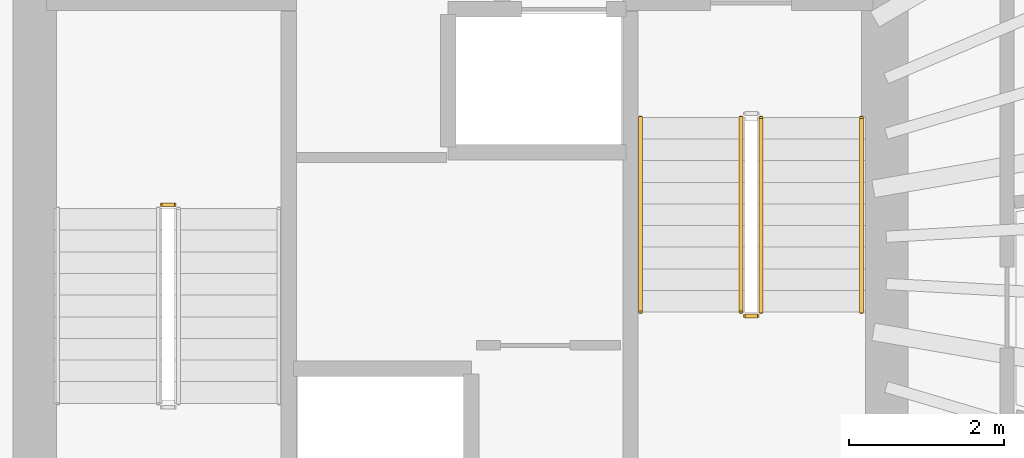
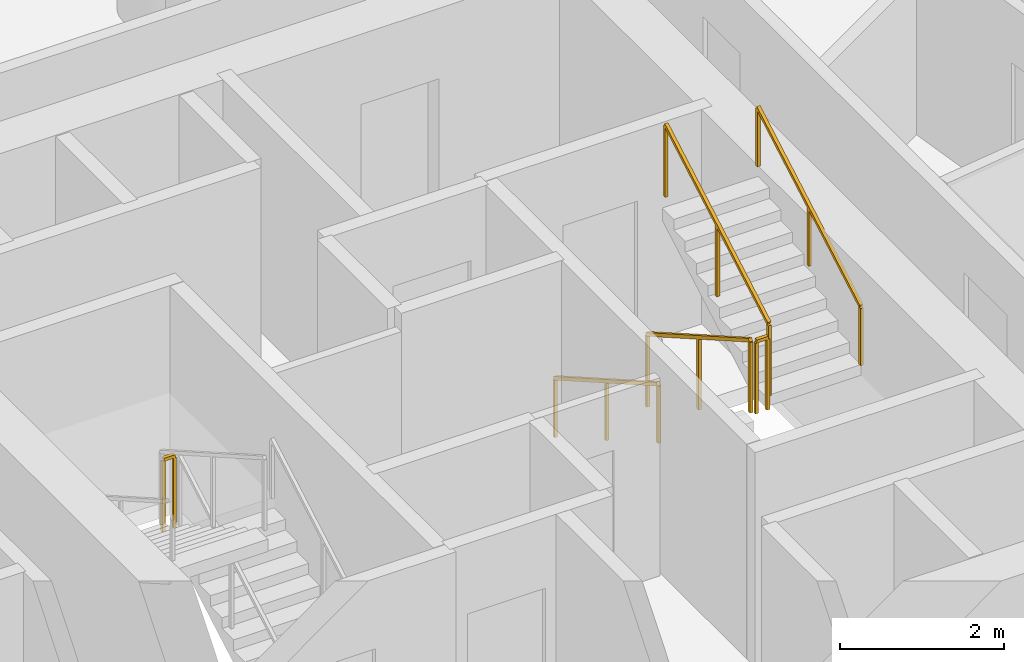
# One storey, part 11 of 13: 6 railings.
"""IFC4 building model written with IfcOpenShell, lengths in metres."""

from ifc_helpers import new_model, si_unit, direction, frame, origin, origin_2d, place, context, subcontext, project, spatial, rectangle, extrude, material, type_object, element, save


model = new_model("IFC4")

# Units and contexts
model_context = context("Model", 3, precision=1e-05, world=origin(), true_north=direction((0.0, 1.0)))
body_context = subcontext(model_context, "Body", "Model", "MODEL_VIEW")
ifc_project = project(units=[si_unit("LENGTHUNIT", "METRE"), si_unit("AREAUNIT", "SQUARE_METRE"), si_unit("VOLUMEUNIT", "CUBIC_METRE"), si_unit("PLANEANGLEUNIT", "RADIAN"), si_unit("MASSUNIT", "GRAM", prefix="KILO")], contexts=[model_context])

# Site, building, storey
site_placement = place(None, origin())
site = spatial("IfcSite", under=ifc_project, at=site_placement, CompositionType="ELEMENT")
building_placement = place(site_placement, origin())
building = spatial("IfcBuilding", under=site, at=building_placement, Name="Veldorim Arch Residences", CompositionType="ELEMENT")
storey_placement = place(building_placement, frame((0.0, 0.0, 152.159912109375)))
storey = spatial("IfcBuildingStorey", under=building, at=storey_placement, Name="L45", CompositionType="ELEMENT", Elevation=152.159912109375)

# Railings
ifc_material_1 = material(Name="Steel S355", Category="steel")
railing_type_1 = type_object("IfcRailingType", Name="Galvanised Steel Stair Safety Guardrail 1100", PredefinedType="GUARDRAIL", material=ifc_material_1)
railing_1_placement = place(storey_placement, frame((28.31005859375, 24.719970703125, 1.60009765625)))
element("IfcRailing", 1, at=railing_1_placement, inside=storey, type_object=railing_type_1, Name="L45 ST-1 stair guard 2", PredefinedType="GUARDRAIL", context=body_context, shape_type="SweptSolid", body=[
    extrude(rectangle(XDim=0.048095703125, YDim=0.048095703125, at=origin_2d()), frame((0.0, 0.0, 1.076171875), z_axis=(-1.0, 0.0, 0.0), x_axis=(0.0, -1.0, 0.0)), (0.0, 0.0, 1.0), 0.16015625),
    extrude(rectangle(XDim=0.0419921875, YDim=0.0419921875, at=origin_2d()), origin(), (0.0, 0.0, 1.0), 1.052001953125),
    extrude(rectangle(XDim=0.0419921875, YDim=0.0419921875, at=origin_2d()), frame((-0.16015625, 0.0, 0.0)), (0.0, 0.0, 1.0), 1.052001953125),
])
railing_2_placement = place(storey_placement, frame((35.639892578125, 25.85009765625, 0.16015625)))
element("IfcRailing", 2, at=railing_2_placement, inside=storey, type_object=railing_type_1, Name="L45 ST-2 stair guard 1", PredefinedType="GUARDRAIL", context=body_context, shape_type="SweptSolid", body=[
    extrude(rectangle(XDim=0.048095703125, YDim=0.048095703125, at=origin_2d()), frame((0.0, 0.0, 1.076171875), z_axis=(0.0, -0.868253494771, 0.496120820787), x_axis=(1.0, 0.0, 0.0)), (0.0, 0.0, 1.0), 2.90234375),
    extrude(rectangle(XDim=0.0419921875, YDim=0.0419921875, at=origin_2d()), origin(), (0.0, 0.0, 1.0), 1.052001953125),
    extrude(rectangle(XDim=0.0419921875, YDim=0.0419921875, at=origin_2d()), frame((0.0, -1.260009765625, 0.719970703125)), (0.0, 0.0, 1.0), 1.052001953125),
    extrude(rectangle(XDim=0.0419921875, YDim=0.0419921875, at=origin_2d()), frame((0.0, -2.52001953125, 1.43994140625)), (0.0, 0.0, 1.0), 1.052001953125),
])
railing_3_placement = place(storey_placement, frame((35.68994140625, 23.280029296875, 1.60009765625)))
element("IfcRailing", 3, at=railing_3_placement, inside=storey, type_object=railing_type_1, Name="L45 ST-2 stair guard 2", PredefinedType="GUARDRAIL", context=body_context, shape_type="SweptSolid", body=[
    extrude(rectangle(XDim=0.048095703125, YDim=0.048095703125, at=origin_2d()), frame((0.0, 0.0, 1.076171875), z_axis=(1.0, 0.0, 0.0), x_axis=(0.0, 1.0, 0.0)), (0.0, 0.0, 1.0), 0.16015625),
    extrude(rectangle(XDim=0.0419921875, YDim=0.0419921875, at=origin_2d()), origin(), (0.0, 0.0, 1.0), 1.052001953125),
    extrude(rectangle(XDim=0.0419921875, YDim=0.0419921875, at=origin_2d()), frame((0.16015625, 0.0, 0.0)), (0.0, 0.0, 1.0), 1.052001953125),
])
railing_4_placement = place(storey_placement, frame((35.89990234375, 23.330078125, 1.760009765625)))
element("IfcRailing", 4, at=railing_4_placement, inside=storey, type_object=railing_type_1, Name="L45 ST-2 stair guard 3", PredefinedType="GUARDRAIL", context=body_context, shape_type="SweptSolid", body=[
    extrude(rectangle(XDim=0.048095703125, YDim=0.048095703125, at=origin_2d()), frame((0.0, 0.0, 1.076171875), z_axis=(0.0, 0.868217259934, 0.496184229447), x_axis=(-1.0, 0.0, 0.0)), (0.0, 0.0, 1.0), 2.902587890625),
    extrude(rectangle(XDim=0.0419921875, YDim=0.0419921875, at=origin_2d()), origin(), (0.0, 0.0, 1.0), 1.052001953125),
    extrude(rectangle(XDim=0.0419921875, YDim=0.0419921875, at=origin_2d()), frame((0.0, 1.260009765625, 0.72021484375)), (0.0, 0.0, 1.0), 1.052001953125),
    extrude(rectangle(XDim=0.0419921875, YDim=0.0419921875, at=origin_2d()), frame((0.0, 2.52001953125, 1.440185546875)), (0.0, 0.0, 1.0), 1.052001953125),
])
ifc_material_2 = material(Name="Stainless Steel", Category="steel")
railing_type_2 = type_object("IfcRailingType", Name="Tubular Steel Continuous Wall Handrail 900", PredefinedType="HANDRAIL", material=ifc_material_2)
railing_5_placement = place(storey_placement, frame((34.340087890625, 25.85009765625, 0.16015625)))
element("IfcRailing", 5, at=railing_5_placement, inside=storey, type_object=railing_type_2, Name="L45 ST-2 stair handrail 1", PredefinedType="HANDRAIL", context=body_context, shape_type="SweptSolid", body=[
    extrude(rectangle(XDim=0.048095703125, YDim=0.048095703125, at=origin_2d()), frame((0.0, 0.0, 0.8759765625), z_axis=(0.0, -0.868253494771, 0.496120820787), x_axis=(1.0, 0.0, 0.0)), (0.0, 0.0, 1.0), 2.90234375),
    extrude(rectangle(XDim=0.0419921875, YDim=0.0419921875, at=origin_2d()), origin(), (0.0, 0.0, 1.0), 0.851806640625),
    extrude(rectangle(XDim=0.0419921875, YDim=0.0419921875, at=origin_2d()), frame((0.0, -1.260009765625, 0.719970703125)), (0.0, 0.0, 1.0), 0.851806640625),
    extrude(rectangle(XDim=0.0419921875, YDim=0.0419921875, at=origin_2d()), frame((0.0, -2.52001953125, 1.43994140625)), (0.0, 0.0, 1.0), 0.851806640625),
])
railing_6_placement = place(storey_placement, frame((37.199951171875, 23.330078125, 1.760009765625)))
element("IfcRailing", 6, at=railing_6_placement, inside=storey, type_object=railing_type_2, Name="L45 ST-2 stair handrail 2", PredefinedType="HANDRAIL", context=body_context, shape_type="SweptSolid", body=[
    extrude(rectangle(XDim=0.048095703125, YDim=0.048095703125, at=origin_2d()), frame((0.0, 0.0, 0.8759765625), z_axis=(0.0, 0.868217259934, 0.496184229447), x_axis=(-1.0, 0.0, 0.0)), (0.0, 0.0, 1.0), 2.902587890625),
    extrude(rectangle(XDim=0.0419921875, YDim=0.0419921875, at=origin_2d()), origin(), (0.0, 0.0, 1.0), 0.851806640625),
    extrude(rectangle(XDim=0.0419921875, YDim=0.0419921875, at=origin_2d()), frame((0.0, 1.260009765625, 0.72021484375)), (0.0, 0.0, 1.0), 0.851806640625),
    extrude(rectangle(XDim=0.0419921875, YDim=0.0419921875, at=origin_2d()), frame((0.0, 2.52001953125, 1.440185546875)), (0.0, 0.0, 1.0), 0.851806640625),
])

save(model, "model.ifc")
